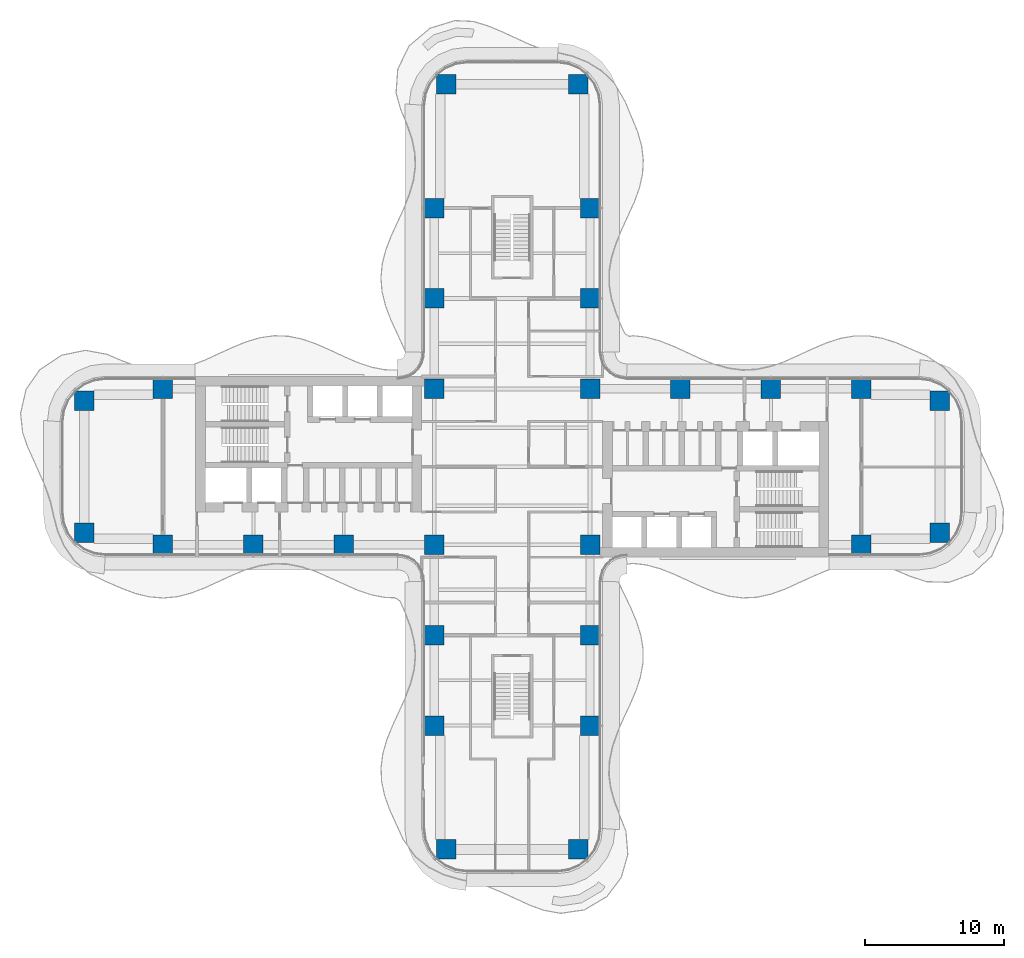
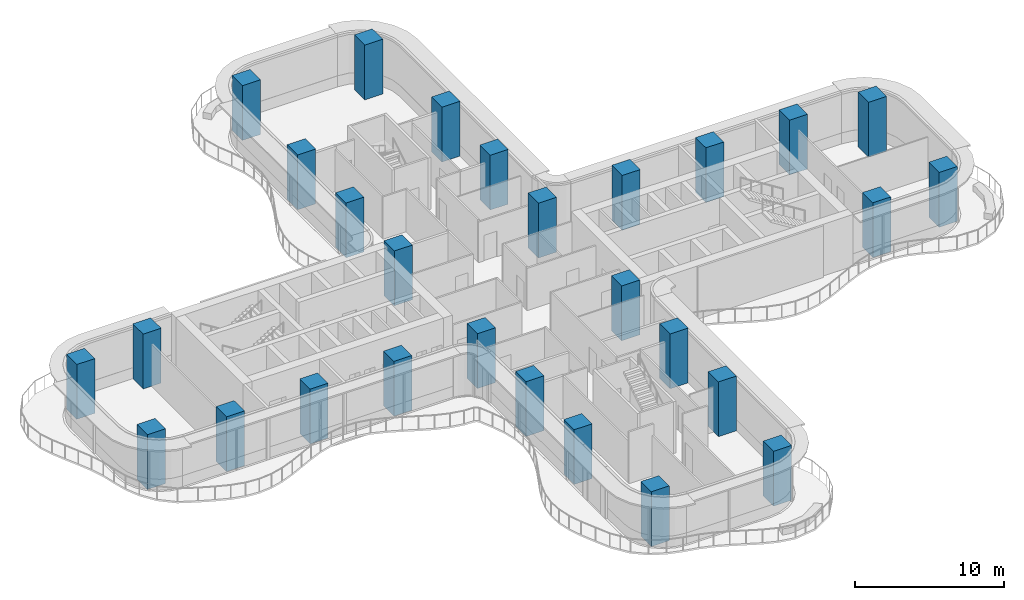
# One storey, part 1 of 22: 28 columns.
"""IFC4 building model written with IfcOpenShell, lengths in metres."""

from ifc_helpers import new_model, si_unit, direction, frame, origin, origin_2d, place, context, subcontext, project, spatial, rectangle, extrude, source, transform, mapped, material, material_profile, profile_set, type_object, element, save


model = new_model("IFC4")

# Units and contexts
model_context = context("Model", 3, precision=1e-05, world=origin(), true_north=direction((0.0, 1.0)))
body_context = subcontext(model_context, "Body", "Model", "MODEL_VIEW")
ifc_project = project(units=[si_unit("LENGTHUNIT", "METRE"), si_unit("AREAUNIT", "SQUARE_METRE"), si_unit("VOLUMEUNIT", "CUBIC_METRE"), si_unit("PLANEANGLEUNIT", "RADIAN"), si_unit("MASSUNIT", "GRAM", prefix="KILO")], contexts=[model_context])

# Site, building, storey
site_placement = place(None, origin())
site = spatial("IfcSite", under=ifc_project, at=site_placement, CompositionType="ELEMENT")
building_placement = place(site_placement, origin())
building = spatial("IfcBuilding", under=site, at=building_placement, Name="Trellis Farm Tower", CompositionType="ELEMENT")
storey_placement = place(building_placement, frame((0.0, 0.0, 52.0)))
storey = spatial("IfcBuildingStorey", under=building, at=storey_placement, Name="L10", CompositionType="ELEMENT", Elevation=52.0)

# Columns
ifc_material = material(Name="Concrete C80/95", Category="concrete")
ifc_material_profile = material_profile(ifc_material, rectangle(XDim=1.39990234375, YDim=1.39990234375, at=origin_2d()), Name="RC column 1400x1400 C80/95")
ifc_profile_set = profile_set([ifc_material_profile], Name="Concrete C80/95")
column_type = type_object("IfcColumnType", Name="RC column 1400x1400 C80/95", PredefinedType="COLUMN", material=ifc_profile_set)
shared_shape = source(origin(), body_context, "Body", "SweptSolid", [
    extrude(rectangle(XDim=1.39990234375, YDim=1.39990234375, at=origin_2d()), origin(), (0.0, 0.0, 1.0), 4.5),
])
for number, where, z_axis, x_axis, name in (
    (1, (12.10009765625, 5.60009765625, 0.0), (0.0, 0.0, 1.0), (1.0, 0.0, 0.0), "Column"),
    (2, (18.60009765625, 5.60009765625, 0.0), (0.0, 0.0, 1.0), (1.0, 0.0, 0.0), "Column"),
    (3, (25.10009765625, 5.60009765625, 0.0), (0.0, 0.0, 1.0), (1.0, 0.0, 0.0), "Column"),
    (4, (30.75, 4.75, 0.0), (0.0, 0.0, 1.0), (1.0, 0.0, 0.0), "Column"),
    (5, (25.10009765625, -5.60009765625, 0.0), (0.0, 0.0, 1.0), (1.0, 0.0, 0.0), "Column"),
    (6, (30.75, -4.75, 0.0), (0.0, 0.0, 1.0), (1.0, 0.0, 0.0), "Column"),
    (7, (-5.60009765625, 12.10009765625, 0.0), (0.0, 0.0, 1.0), (1.0, 0.0, 0.0), "Column"),
    (8, (-5.60009765625, 18.60009765625, 0.0), (0.0, 0.0, 1.0), (1.0, 0.0, 0.0), "Column"),
    (9, (-4.75, 27.5, 0.0), (0.0, 0.0, 1.0), (1.0, 0.0, 0.0), "Column"),
    (10, (5.60009765625, 12.10009765625, 0.0), (0.0, 0.0, 1.0), (1.0, 0.0, 0.0), "Column"),
    (11, (5.60009765625, 18.60009765625, 0.0), (0.0, 0.0, 1.0), (1.0, 0.0, 0.0), "Column"),
    (12, (4.75, 27.5, 0.0), (0.0, 0.0, 1.0), (1.0, 0.0, 0.0), "Column"),
    (13, (5.60009765625, 5.60009765625, 0.0), (0.0, 0.0, 1.0), (1.0, 0.0, 0.0), "Column"),
    (14, (-5.60009765625, 5.60009765625, 0.0), (0.0, 0.0, 1.0), (1.0, 0.0, 0.0), "Column"),
    (15, (5.60009765625, -5.60009765625, 0.0), (0.0, 0.0, 1.0), (1.0, 0.0, 0.0), "Column"),
    (16, (-5.60009765625, -5.60009765625, 0.0), (0.0, 0.0, 1.0), (1.0, 0.0, 0.0), "Column"),
    (17, (5.60009765625, -12.10009765625, 0.0), (0.0, 0.0, 1.0), (1.0, 0.0, 0.0), "Column"),
    (18, (5.60009765625, -18.60009765625, 0.0), (0.0, 0.0, 1.0), (1.0, 0.0, 0.0), "Column"),
    (19, (4.75, -27.5, 0.0), (0.0, 0.0, 1.0), (1.0, 0.0, 0.0), "Column"),
    (20, (-5.60009765625, -12.10009765625, 0.0), (0.0, 0.0, 1.0), (1.0, 0.0, 0.0), "Column"),
    (21, (-5.60009765625, -18.60009765625, 0.0), (0.0, 0.0, 1.0), (1.0, 0.0, 0.0), "Column"),
    (22, (-4.75, -27.5, 0.0), (0.0, 0.0, 1.0), (1.0, 0.0, 0.0), "Column"),
    (23, (-12.10009765625, -5.60009765625, 0.0), (0.0, 0.0, 1.0), (1.0, 0.0, 0.0), "Column"),
    (24, (-18.60009765625, -5.60009765625, 0.0), (0.0, 0.0, 1.0), (1.0, 0.0, 0.0), "Column"),
    (25, (-25.10009765625, -5.60009765625, 0.0), (0.0, 0.0, 1.0), (1.0, 0.0, 0.0), "Column"),
    (26, (-30.75, -4.75, 0.0), (0.0, 0.0, 1.0), (1.0, 0.0, 0.0), "Column"),
    (27, (-25.10009765625, 5.60009765625, 0.0), (0.0, 0.0, 1.0), (1.0, 0.0, 0.0), "Column"),
    (28, (-30.75, 4.75, 0.0), (0.0, 0.0, 1.0), (1.0, 0.0, 0.0), "Column"),
):
    element("IfcColumn", number, at=place(storey_placement, frame(where, z_axis=z_axis, x_axis=x_axis)), inside=storey, type_object=column_type, Name=name, PredefinedType="COLUMN", context=body_context, shape_type="MappedRepresentation", body=[
        mapped(shared_shape, transform((0.0, 0.0, 0.0))),
    ])

save(model, "model.ifc")
